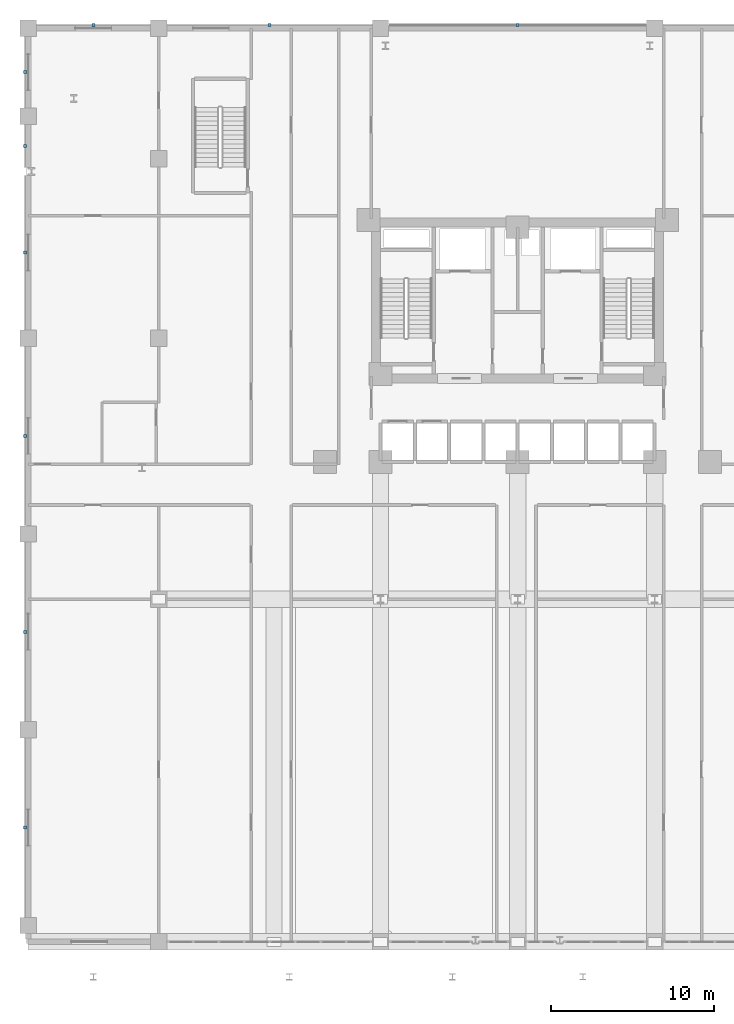
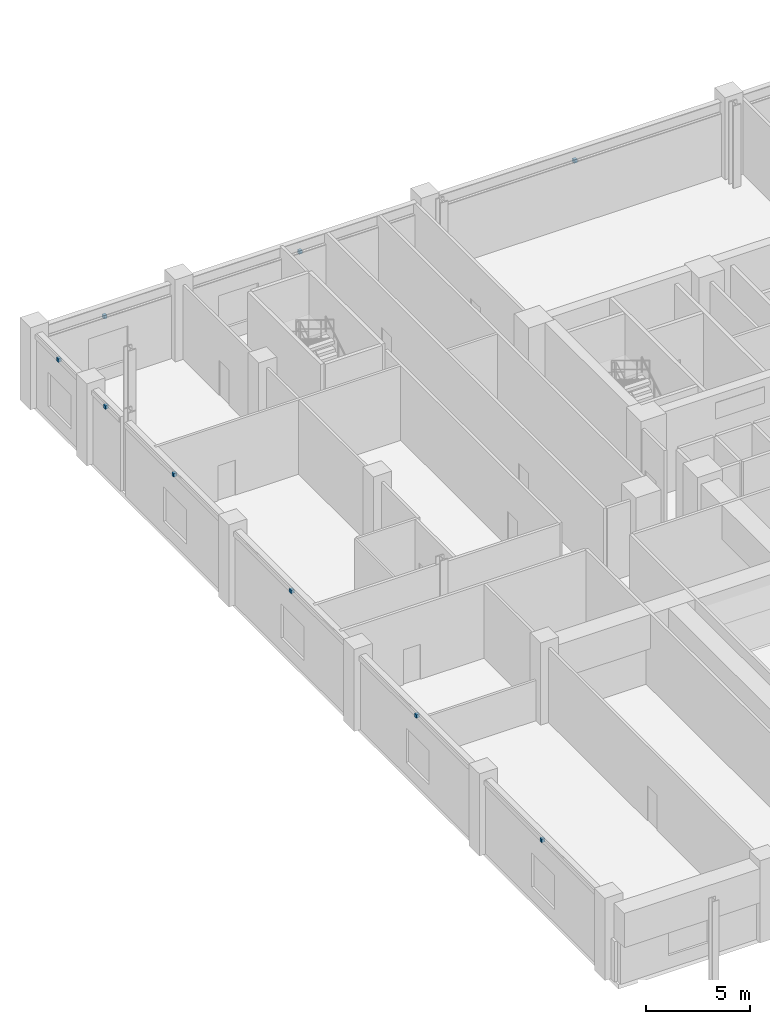
# One storey, part 36 of 44: 9 discrete accessories.
"""IFC4 building model written with IfcOpenShell, lengths in metres."""

from ifc_helpers import new_model, si_unit, derived_unit, direction, frame, origin, origin_2d, place, context, subcontext, project, spatial, rectangle, extrude, source, transform, mapped, material, type_object, element, save


model = new_model("IFC4")

# Units and contexts
model_context = context("Model", 3, precision=1e-05, world=origin(), true_north=direction((0.0, 1.0)))
body_context = subcontext(model_context, "Body", "Model", "MODEL_VIEW")
ifc_project = project(units=[si_unit("LENGTHUNIT", "METRE"), si_unit("AREAUNIT", "SQUARE_METRE"), si_unit("VOLUMEUNIT", "CUBIC_METRE"), si_unit("PLANEANGLEUNIT", "RADIAN"), si_unit("MASSUNIT", "GRAM", prefix="KILO"), derived_unit("THERMALTRANSMITTANCEUNIT", [(si_unit("POWERUNIT", "WATT"), 1), (si_unit("LENGTHUNIT", "METRE"), -2), (si_unit("THERMODYNAMICTEMPERATUREUNIT", "KELVIN"), -1)])], contexts=[model_context])

# Site, building, storey
site_placement = place(None, origin())
site = spatial("IfcSite", under=ifc_project, at=site_placement, CompositionType="ELEMENT")
building_placement = place(site_placement, origin())
building = spatial("IfcBuilding", under=site, at=building_placement, Name="Korsvarv Bourse and Concert Hall", CompositionType="ELEMENT")
storey_placement = place(building_placement, frame((0.0, 0.0, 9.60009765625)))
storey = spatial("IfcBuildingStorey", under=building, at=storey_placement, Name="L02", CompositionType="ELEMENT", Elevation=9.60009765625)

# Discrete accessories
ifc_material = material(Name="Stainless Steel S355 facade outrigger bracket", Category="steel")
discrete_accessory_type = type_object("IfcDiscreteAccessoryType", Name="ACC-BRK-1", PredefinedType="BRACKET", material=ifc_material)
shared_shape = source(origin(), body_context, "Body", "SweptSolid", [
    extrude(rectangle(XDim=0.179931640625, YDim=0.179931640625, at=origin_2d()), origin(), (0.0, 0.0, 1.0), 0.199951171875),
])
for number, where, z_axis, x_axis, name in (
    (1, (10.0, 59.199951171875, 3.39013671875), (0.0, 0.0, 1.0), (1.0, 0.0, 0.0), "L02 terracotta sunshade bracket EW-L02-N1"),
    (2, (20.800048828125, 59.199951171875, 3.39013671875), (0.0, 0.0, 1.0), (1.0, 0.0, 0.0), "L02 terracotta sunshade bracket EW-L02-N2"),
    (3, (36.0, 59.199951171875, 3.39013671875), (0.0, 0.0, 1.0), (1.0, 0.0, 0.0), "L02 terracotta sunshade bracket EW-L02-N3"),
    (4, (5.800048828125, 10.0, 4.08984375), (0.0, 0.0, 1.0), (0.0, 1.0, 0.0), "L02 terracotta sunshade bracket EW-L02-W1-2"),
    (5, (5.800048828125, 22.0, 4.08984375), (0.0, 0.0, 1.0), (0.0, 1.0, 0.0), "L02 terracotta sunshade bracket EW-L02-W2"),
    (6, (5.800048828125, 34.0, 4.08984375), (0.0, 0.0, 1.0), (0.0, 1.0, 0.0), "L02 terracotta sunshade bracket EW-L02-W3"),
    (7, (5.800048828125, 45.239990234375, 4.08984375), (0.0, 0.0, 1.0), (0.0, 1.0, 0.0), "L02 terracotta sunshade bracket EW-L02-W4-1"),
    (8, (5.800048828125, 51.777099609375, 4.08984375), (0.0, 0.0, 1.0), (0.0, 1.0, 0.0), "L02 terracotta sunshade bracket EW-L02-W4-2"),
    (9, (5.800048828125, 56.300048828125, 4.08984375), (0.0, 0.0, 1.0), (0.0, 1.0, 0.0), "L02 terracotta sunshade bracket EW-L02-W5"),
):
    element("IfcDiscreteAccessory", number, at=place(storey_placement, frame(where, z_axis=z_axis, x_axis=x_axis)), inside=storey, type_object=discrete_accessory_type, Name=name, PredefinedType="BRACKET", context=body_context, shape_type="MappedRepresentation", body=[
        mapped(shared_shape, transform((0.0, 0.0, 0.0), scale=1.0)),
    ])

save(model, "model.ifc")
